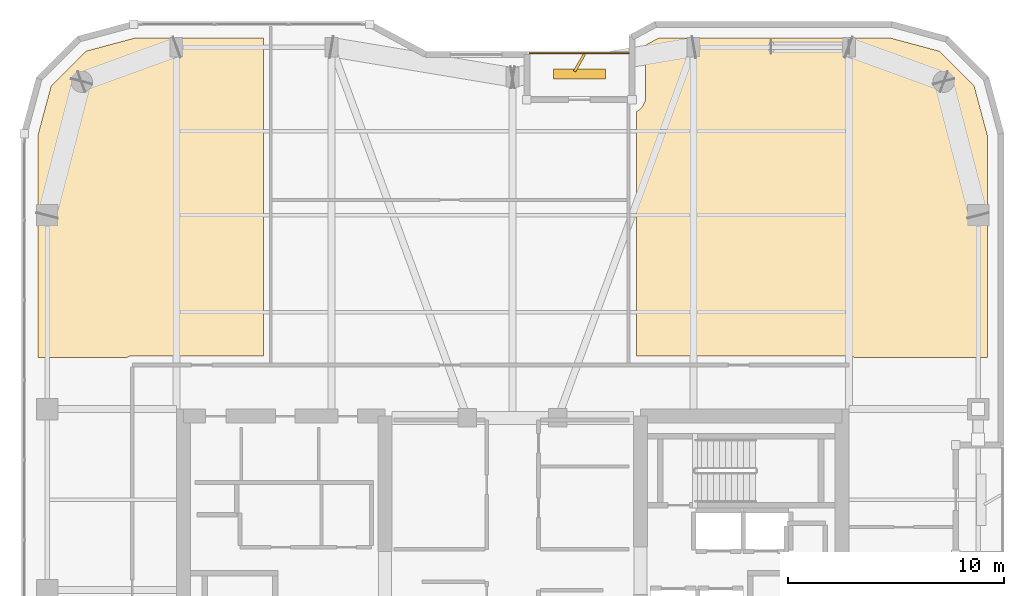
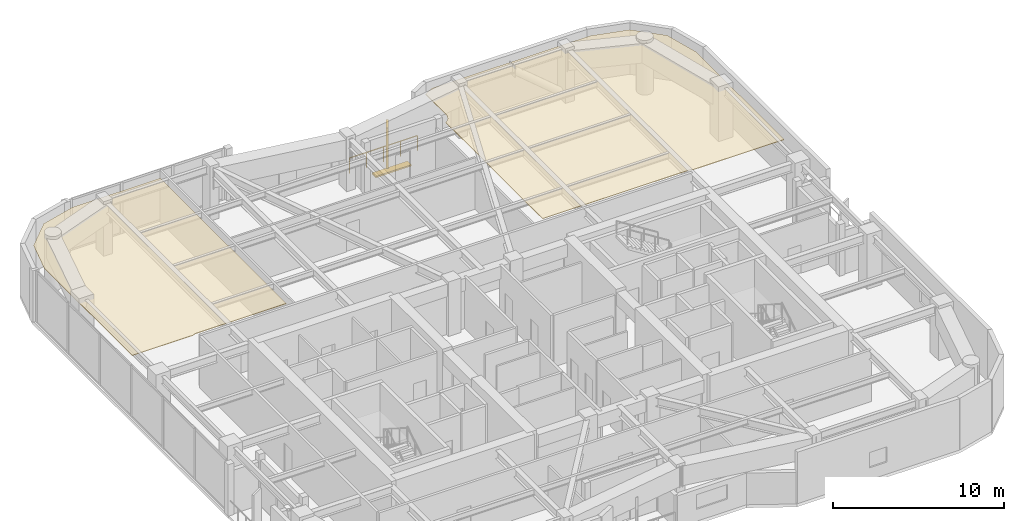
# One storey, part 21 of 21: 2 coverings, 2 shading devices, 1 railing.
"""IFC4 building model written with IfcOpenShell, lengths in metres."""

from ifc_helpers import new_model, si_unit, direction, frame, origin, origin_2d, place, context, subcontext, project, spatial, polyline, rectangle, outline, extrude, material, layer, layer_set, type_object, element, save


model = new_model("IFC4")

# Units and contexts
model_context = context("Model", 3, precision=1e-05, world=origin(), true_north=direction((0.0, 1.0)))
body_context = subcontext(model_context, "Body", "Model", "MODEL_VIEW")
ifc_project = project(units=[si_unit("LENGTHUNIT", "METRE"), si_unit("AREAUNIT", "SQUARE_METRE"), si_unit("VOLUMEUNIT", "CUBIC_METRE"), si_unit("PLANEANGLEUNIT", "RADIAN"), si_unit("MASSUNIT", "GRAM", prefix="KILO")], contexts=[model_context])

# Site, building, storey
site_placement = place(None, origin())
site = spatial("IfcSite", under=ifc_project, at=site_placement, CompositionType="ELEMENT")
building_placement = place(site_placement, origin())
building = spatial("IfcBuilding", under=site, at=building_placement, Name="Kiyonajd Concourse Tower", CompositionType="ELEMENT")
storey_placement = place(building_placement, frame((0.0, 0.0, 234.89990234375)))
storey = spatial("IfcBuildingStorey", under=building, at=storey_placement, Name="L59", CompositionType="ELEMENT", Elevation=234.89990234375)

# Coverings
ifc_material_1 = material(Name="Natural Oak Acoustic Timber Veneer", Category="wood")
ifc_layer = layer(ifc_material_1, 0.0400390625)
ifc_layer_set = layer_set([ifc_layer], Name="Natural Oak Acoustic Timber Veneer")
covering_type = type_object("IfcCoveringType", Name="CV-CLG-ACST", PredefinedType="CEILING", material=ifc_layer_set)
covering_1_placement = place(storey_placement, frame((0.0, 0.0, 3.5)))
element("IfcCovering", 1, at=covering_1_placement, inside=storey, type_object=covering_type, Name="L59-42 Room Acoustic Ceiling", PredefinedType="CEILING", context=body_context, shape_type="SweptSolid", body=[
    extrude(outline(polyline([(28.197998046875, 61.011962890625), (30.5009765625, 61.6298828125), (36.429931640625, 61.6298828125), (36.429931640625, 46.8798828125), (30.35009765625, 46.8798828125), (30.219970703125, 46.860107421875), (30.156982421875, 46.833984375), (30.10205078125, 46.800048828125), (25.969970703125, 46.800048828125), (25.969970703125, 57.09912109375), (26.587890625, 59.402099609375), (28.197998046875, 61.011962890625)])), origin(), (0.0, 0.0, 1.0), 0.0400390625),
])
covering_2_placement = place(storey_placement, frame((0.0, 0.0, 3.5)))
element("IfcCovering", 2, at=covering_2_placement, inside=storey, type_object=covering_type, Name="L59-45 Room Acoustic Ceiling", PredefinedType="CEILING", context=body_context, shape_type="SweptSolid", body=[
    extrude(outline(polyline([(53.75, 58.216064453125), (53.839111328125, 58.26806640625), (53.90087890625, 58.31494140625), (53.985107421875, 58.39892578125), (54.031982421875, 58.4609375), (54.116943359375, 58.62109375), (54.14208984375, 58.693115234375), (54.1640625, 58.80810546875), (54.169921875, 61.2939453125), (54.7939453125, 61.6298828125), (65.4990234375, 61.6298828125), (67.802001953125, 61.011962890625), (69.412109375, 59.402099609375), (70.030029296875, 57.09912109375), (70.030029296875, 46.800048828125), (63.847900390625, 46.800048828125), (63.79296875, 46.833984375), (63.72998046875, 46.860107421875), (63.60009765625, 46.8798828125), (53.75, 46.8798828125), (53.75, 58.216064453125)])), origin(), (0.0, 0.0, 1.0), 0.0400390625),
])

# Railing
ifc_material_2 = material(Name="Thermally Broken Anodised Aluminium", Category="aluminium")
railing_type = type_object("IfcRailingType", Name="RL-GRD-LOG", PredefinedType="GUARDRAIL", material=ifc_material_2)
railing_placement = place(storey_placement, frame((53.39990234375, 60.919921875, 0.0)))
element("IfcRailing", 3, at=railing_placement, inside=storey, type_object=railing_type, Name="L59 Engawa Loggia Perimeter Guard LOG-N", PredefinedType="GUARDRAIL", context=body_context, shape_type="SweptSolid", body=[
    extrude(rectangle(XDim=0.048095703125, YDim=0.048095703125, at=origin_2d()), frame((0.0, 0.0, 1.076171875), z_axis=(-1.0, 0.0, 0.0), x_axis=(0.0, -1.0, 0.0)), (0.0, 0.0, 1.0), 4.599853515625),
    extrude(rectangle(XDim=0.0419921875, YDim=0.0419921875, at=origin_2d()), origin(), (0.0, 0.0, 1.0), 1.052001953125),
    extrude(rectangle(XDim=0.0419921875, YDim=0.0419921875, at=origin_2d()), frame((-1.14990234375, 0.0, 0.0)), (0.0, 0.0, 1.0), 1.052001953125),
    extrude(rectangle(XDim=0.0419921875, YDim=0.0419921875, at=origin_2d()), frame((-2.2998046875, 0.0, 0.0)), (0.0, 0.0, 1.0), 1.052001953125),
    extrude(rectangle(XDim=0.0419921875, YDim=0.0419921875, at=origin_2d()), frame((-3.449951171875, 0.0, 0.0)), (0.0, 0.0, 1.0), 1.052001953125),
    extrude(rectangle(XDim=0.0419921875, YDim=0.0419921875, at=origin_2d()), frame((-4.599853515625, 0.0, 0.0)), (0.0, 0.0, 1.0), 1.052001953125),
])

# Shading devices
ifc_material_3 = material(Name="Precast concrete C50/60", Category="concrete")
shading_device_type_1 = type_object("IfcShadingDeviceType", Name="SH-FIN-900", PredefinedType="USERDEFINED", material=ifc_material_3)
shading_device_1_placement = place(storey_placement, frame((51.10009765625, 60.469970703125, 0.0), z_axis=(0.0, 0.0, 1.0), x_axis=(0.5, 0.866025403784, 0.0)))
element("IfcShadingDevice", 4, at=shading_device_1_placement, inside=storey, type_object=shading_device_type_1, Name="L59 Angled Koshi Solar Fin LOG-N", ObjectType="FIN", PredefinedType="USERDEFINED", context=body_context, shape_type="SweptSolid", body=[
    extrude(rectangle(XDim=0.89990234375, YDim=0.1201171875, at=origin_2d()), origin(), (0.0, 0.0, 1.0), 3.0),
])
shading_device_type_2 = type_object("IfcShadingDeviceType", Name="SH-LVR-600", PredefinedType="JALOUSIE", material=ifc_material_2)
shading_device_2_placement = place(storey_placement, frame((51.10009765625, 59.949951171875, 0.0), z_axis=(0.0, 0.0, 1.0), x_axis=(1.0, 0.0, 0.0)))
element("IfcShadingDevice", 5, at=shading_device_2_placement, inside=storey, type_object=shading_device_type_2, Name="L59 Loggia Threshold Louver LOG-N", PredefinedType="JALOUSIE", context=body_context, shape_type="SweptSolid", body=[
    extrude(rectangle(XDim=2.39990234375, YDim=0.449951171875, at=origin_2d()), origin(), (0.0, 0.0, 1.0), 0.10009765625),
])

save(model, "model.ifc")
